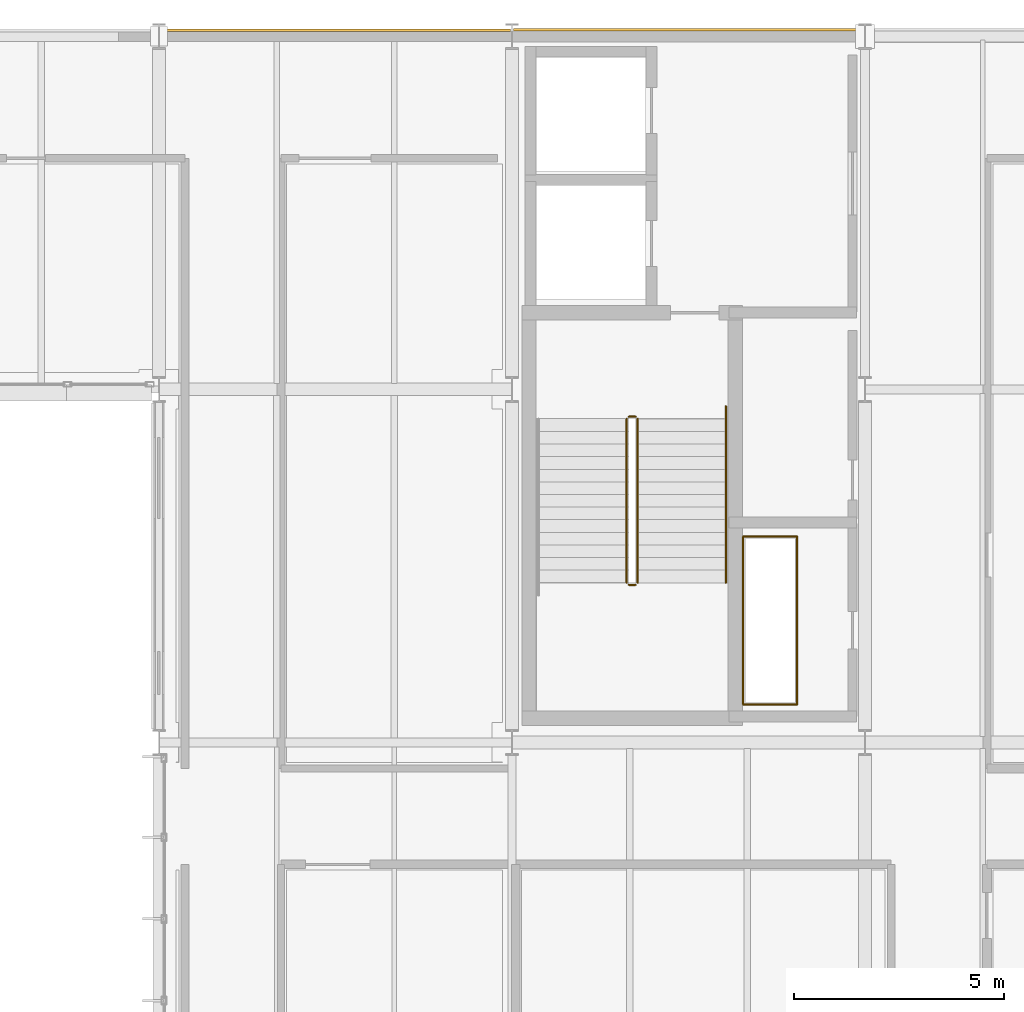
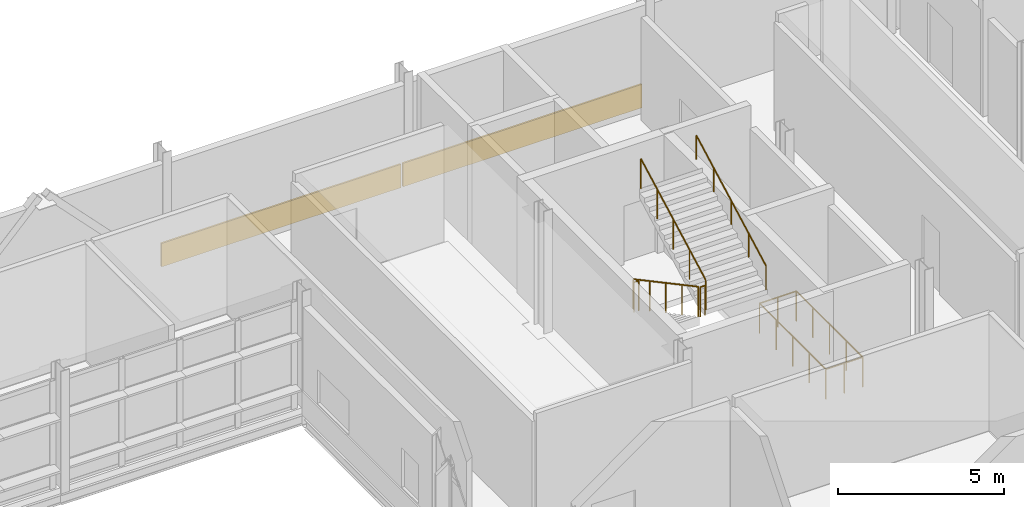
# One storey, part 127 of 129: 6 railings, 2 coverings.
"""IFC4 building model written with IfcOpenShell, lengths in metres."""

from ifc_helpers import new_model, si_unit, direction, frame, origin, origin_2d, place, context, subcontext, project, spatial, rectangle, circle, extrude, material, layer, layer_set, type_object, element, save


model = new_model("IFC4")

# Units and contexts
model_context = context("Model", 3, precision=1e-05, world=origin(), true_north=direction((0.0, 1.0)))
body_context = subcontext(model_context, "Body", "Model", "MODEL_VIEW")
ifc_project = project(units=[si_unit("LENGTHUNIT", "METRE"), si_unit("AREAUNIT", "SQUARE_METRE"), si_unit("VOLUMEUNIT", "CUBIC_METRE"), si_unit("PLANEANGLEUNIT", "RADIAN"), si_unit("MASSUNIT", "GRAM", prefix="KILO")], contexts=[model_context])

# Site, building, storey
site_placement = place(None, origin())
site = spatial("IfcSite", under=ifc_project, at=site_placement, CompositionType="ELEMENT")
building_placement = place(site_placement, origin())
building = spatial("IfcBuilding", under=site, at=building_placement, Name="Mersafa Astral City Hall", CompositionType="ELEMENT")
storey_placement = place(building_placement, frame((0.0, 0.0, 5.39990234375)))
storey = spatial("IfcBuildingStorey", under=building, at=storey_placement, Name="L01", CompositionType="ELEMENT", Elevation=5.39990234375)

# Coverings
ifc_material_1 = material(Name="Cairo Mokattam buff limestone cladding", Category="masonry")
ifc_layer = layer(ifc_material_1, 0.06005859375, Name="Cairo Mokattam buff limestone cladding")
ifc_layer_set = layer_set([ifc_layer], Name="Cairo Mokattam buff limestone cladding — ENV-COV-LIMESTONE-60")
covering_type = type_object("IfcCoveringType", Name="ENV-COV-LIMESTONE-60", PredefinedType="CLADDING", material=ifc_layer_set)
for number, where, z_axis, x_axis, name in (
    (1, (155.39990234375, 126.154541015625, 0.0), (0.0, 0.0, 1.0), (-1.0, 0.0, 0.0), "L01 Cairo buff limestone rainscreen cladding 99"),
    (2, (147.0, 126.14697265625, 0.0), (0.0, 0.0, 1.0), (-1.0, 0.0, 0.0), "L01 Cairo buff limestone rainscreen cladding 100"),
):
    element("IfcCovering", number, at=place(storey_placement, frame(where, z_axis=z_axis, x_axis=x_axis)), inside=storey, type_object=covering_type, Name=name, PredefinedType="CLADDING", context=body_context, shape_type="SweptSolid", body=[
        extrude(rectangle(XDim=8.323974609375, YDim=0.06005859375, at=origin_2d()), origin(), (0.0, 0.0, 1.0), 0.860107421875),
    ])

# Railings
ifc_material_2 = material(Name="Painted architectural steel stair guard balustrade", Category="steel")
railing_type_1 = type_object("IfcRailingType", Name="GUARD-RAIL", PredefinedType="BALUSTRADE", material=ifc_material_2)
railing_1_placement = place(storey_placement, frame((153.929931640625, 116.89990234375, 0.160888671875)))
element("IfcRailing", 3, at=railing_1_placement, inside=storey, type_object=railing_type_1, Name="L01 ST1 stair guard 1", PredefinedType="BALUSTRADE", context=body_context, shape_type="SweptSolid", body=[
    extrude(circle(Radius=0.02392578125, at=origin_2d()), frame((0.0, 0.0, 1.09619140625), z_axis=(0.0, -0.881491454809, 0.472199973632), x_axis=(1.0, 0.0, 0.0)), (0.0, 0.0, 1.0), 4.42431640625),
    extrude(circle(Radius=0.02099609375, at=origin_2d()), origin(), (0.0, 0.0, 1.0), 1.072021484375),
    extrude(circle(Radius=0.02099609375, at=origin_2d()), frame((0.0, -0.97509765625, 0.522216796875)), (0.0, 0.0, 1.0), 1.072021484375),
    extrude(circle(Radius=0.02099609375, at=origin_2d()), frame((0.0, -1.949951171875, 1.04443359375)), (0.0, 0.0, 1.0), 1.072021484375),
    extrude(circle(Radius=0.02099609375, at=origin_2d()), frame((0.0, -2.9248046875, 1.56689453125)), (0.0, 0.0, 1.0), 1.072021484375),
    extrude(circle(Radius=0.02099609375, at=origin_2d()), frame((0.0, -3.89990234375, 2.089111328125)), (0.0, 0.0, 1.0), 1.072021484375),
])
railing_2_placement = place(storey_placement, frame((153.97998046875, 112.949951171875, 2.25)))
element("IfcRailing", 4, at=railing_2_placement, inside=storey, type_object=railing_type_1, Name="L01 ST1 stair guard 2", PredefinedType="BALUSTRADE", context=body_context, shape_type="SweptSolid", body=[
    extrude(circle(Radius=0.02392578125, at=origin_2d()), frame((0.0, 0.0, 1.09619140625), z_axis=(1.0, 0.0, 0.0), x_axis=(0.0, 1.0, 0.0)), (0.0, 0.0, 1.0), 0.159912109375),
    extrude(circle(Radius=0.02099609375, at=origin_2d()), origin(), (0.0, 0.0, 1.0), 1.072021484375),
    extrude(circle(Radius=0.02099609375, at=origin_2d()), frame((0.159912109375, 0.0, 0.0)), (0.0, 0.0, 1.0), 1.072021484375),
])
railing_3_placement = place(storey_placement, frame((154.18994140625, 113.0, 2.410888671875)))
element("IfcRailing", 5, at=railing_3_placement, inside=storey, type_object=railing_type_1, Name="L01 ST1 stair guard 3", PredefinedType="BALUSTRADE", context=body_context, shape_type="SweptSolid", body=[
    extrude(circle(Radius=0.02392578125, at=origin_2d()), frame((0.0, 0.0, 1.09619140625), z_axis=(0.0, 0.881491454809, 0.472199973632), x_axis=(-1.0, 0.0, 0.0)), (0.0, 0.0, 1.0), 4.42431640625),
    extrude(circle(Radius=0.02099609375, at=origin_2d()), origin(), (0.0, 0.0, 1.0), 1.072021484375),
    extrude(circle(Radius=0.02099609375, at=origin_2d()), frame((0.0, 0.97509765625, 0.522216796875)), (0.0, 0.0, 1.0), 1.072021484375),
    extrude(circle(Radius=0.02099609375, at=origin_2d()), frame((0.0, 1.949951171875, 1.04443359375)), (0.0, 0.0, 1.0), 1.072021484375),
    extrude(circle(Radius=0.02099609375, at=origin_2d()), frame((0.0, 2.9248046875, 1.56689453125)), (0.0, 0.0, 1.0), 1.072021484375),
    extrude(circle(Radius=0.02099609375, at=origin_2d()), frame((0.0, 3.89990234375, 2.089111328125)), (0.0, 0.0, 1.0), 1.072021484375),
])
railing_4_placement = place(storey_placement, frame((153.97998046875, 116.949951171875, 0.0)))
element("IfcRailing", 6, at=railing_4_placement, inside=storey, type_object=railing_type_1, Name="L01 ST1 stair guard 4", PredefinedType="BALUSTRADE", context=body_context, shape_type="SweptSolid", body=[
    extrude(circle(Radius=0.02392578125, at=origin_2d()), frame((0.0, 0.0, 1.09619140625), z_axis=(1.0, 0.0, 0.0), x_axis=(0.0, 1.0, 0.0)), (0.0, 0.0, 1.0), 0.159912109375),
    extrude(circle(Radius=0.02099609375, at=origin_2d()), origin(), (0.0, 0.0, 1.0), 1.072021484375),
    extrude(circle(Radius=0.02099609375, at=origin_2d()), frame((0.159912109375, 0.0, 0.0)), (0.0, 0.0, 1.0), 1.072021484375),
])
railing_5_placement = place(storey_placement, frame((156.699951171875, 110.10009765625, 0.0)))
element("IfcRailing", 7, at=railing_5_placement, inside=storey, type_object=railing_type_1, Name="L01 K1 MEP Riser Shaft Guard", PredefinedType="BALUSTRADE", context=body_context, shape_type="SweptSolid", body=[
    extrude(circle(Radius=0.02392578125, at=origin_2d()), frame((0.0, 0.0, 1.09619140625), z_axis=(1.0, 0.0, 0.0), x_axis=(0.0, 1.0, 0.0)), (0.0, 0.0, 1.0), 1.280029296875),
    extrude(circle(Radius=0.02392578125, at=origin_2d()), frame((1.280029296875, 0.0, 1.09619140625), z_axis=(0.0, 1.0, 0.0), x_axis=(-1.0, 0.0, 0.0)), (0.0, 0.0, 1.0), 4.0),
    extrude(circle(Radius=0.02392578125, at=origin_2d()), frame((1.280029296875, 4.0, 1.09619140625), z_axis=(-1.0, 0.0, 0.0), x_axis=(0.0, -1.0, 0.0)), (0.0, 0.0, 1.0), 1.280029296875),
    extrude(circle(Radius=0.02392578125, at=origin_2d()), frame((0.0, 4.0, 1.09619140625), z_axis=(0.0, -1.0, 0.0), x_axis=(1.0, 0.0, 0.0)), (0.0, 0.0, 1.0), 4.0),
    extrude(circle(Radius=0.02099609375, at=origin_2d()), origin(), (0.0, 0.0, 1.0), 1.072021484375),
    extrude(circle(Radius=0.02099609375, at=origin_2d()), frame((0.64013671875, 0.0, 0.0)), (0.0, 0.0, 1.0), 1.072021484375),
    extrude(circle(Radius=0.02099609375, at=origin_2d()), frame((1.280029296875, 0.0, 0.0)), (0.0, 0.0, 1.0), 1.072021484375),
    extrude(circle(Radius=0.02099609375, at=origin_2d()), frame((1.280029296875, 1.0, 0.0)), (0.0, 0.0, 1.0), 1.072021484375),
    extrude(circle(Radius=0.02099609375, at=origin_2d()), frame((1.280029296875, 2.0, 0.0)), (0.0, 0.0, 1.0), 1.072021484375),
    extrude(circle(Radius=0.02099609375, at=origin_2d()), frame((1.280029296875, 3.0, 0.0)), (0.0, 0.0, 1.0), 1.072021484375),
    extrude(circle(Radius=0.02099609375, at=origin_2d()), frame((1.280029296875, 4.0, 0.0)), (0.0, 0.0, 1.0), 1.072021484375),
    extrude(circle(Radius=0.02099609375, at=origin_2d()), frame((0.64013671875, 4.0, 0.0)), (0.0, 0.0, 1.0), 1.072021484375),
    extrude(circle(Radius=0.02099609375, at=origin_2d()), frame((0.0, 4.0, 0.0)), (0.0, 0.0, 1.0), 1.072021484375),
    extrude(circle(Radius=0.02099609375, at=origin_2d()), frame((0.0, 3.0, 0.0)), (0.0, 0.0, 1.0), 1.072021484375),
    extrude(circle(Radius=0.02099609375, at=origin_2d()), frame((0.0, 2.0, 0.0)), (0.0, 0.0, 1.0), 1.072021484375),
    extrude(circle(Radius=0.02099609375, at=origin_2d()), frame((0.0, 1.0, 0.0)), (0.0, 0.0, 1.0), 1.072021484375),
])
ifc_material_3 = material(Name="Brushed stainless steel tubular handrail", Category="steel")
railing_type_2 = type_object("IfcRailingType", Name="HANDRAIL", PredefinedType="HANDRAIL", material=ifc_material_3)
railing_6_placement = place(storey_placement, frame((156.2900390625, 113.0, 2.410888671875)))
element("IfcRailing", 8, at=railing_6_placement, inside=storey, type_object=railing_type_2, Name="L01 ST1 stair handrail 2", PredefinedType="HANDRAIL", context=body_context, shape_type="SweptSolid", body=[
    extrude(circle(Radius=0.02392578125, at=origin_2d()), frame((0.0, 0.0, 0.8759765625), z_axis=(0.0, 0.881221683169, 0.472703231546), x_axis=(-1.0, 0.0, 0.0)), (0.0, 0.0, 1.0), 4.76611328125),
    extrude(circle(Radius=0.02099609375, at=origin_2d()), origin(), (0.0, 0.0, 1.0), 0.851806640625),
    extrude(circle(Radius=0.02099609375, at=origin_2d()), frame((0.0, 1.050048828125, 0.563232421875)), (0.0, 0.0, 1.0), 0.851806640625),
    extrude(circle(Radius=0.02099609375, at=origin_2d()), frame((0.0, 2.10009765625, 1.12646484375)), (0.0, 0.0, 1.0), 0.851806640625),
    extrude(circle(Radius=0.02099609375, at=origin_2d()), frame((0.0, 3.14990234375, 1.689697265625)), (0.0, 0.0, 1.0), 0.851806640625),
    extrude(circle(Radius=0.02099609375, at=origin_2d()), frame((0.0, 4.199951171875, 2.2529296875)), (0.0, 0.0, 1.0), 0.851806640625),
])

save(model, "model.ifc")
